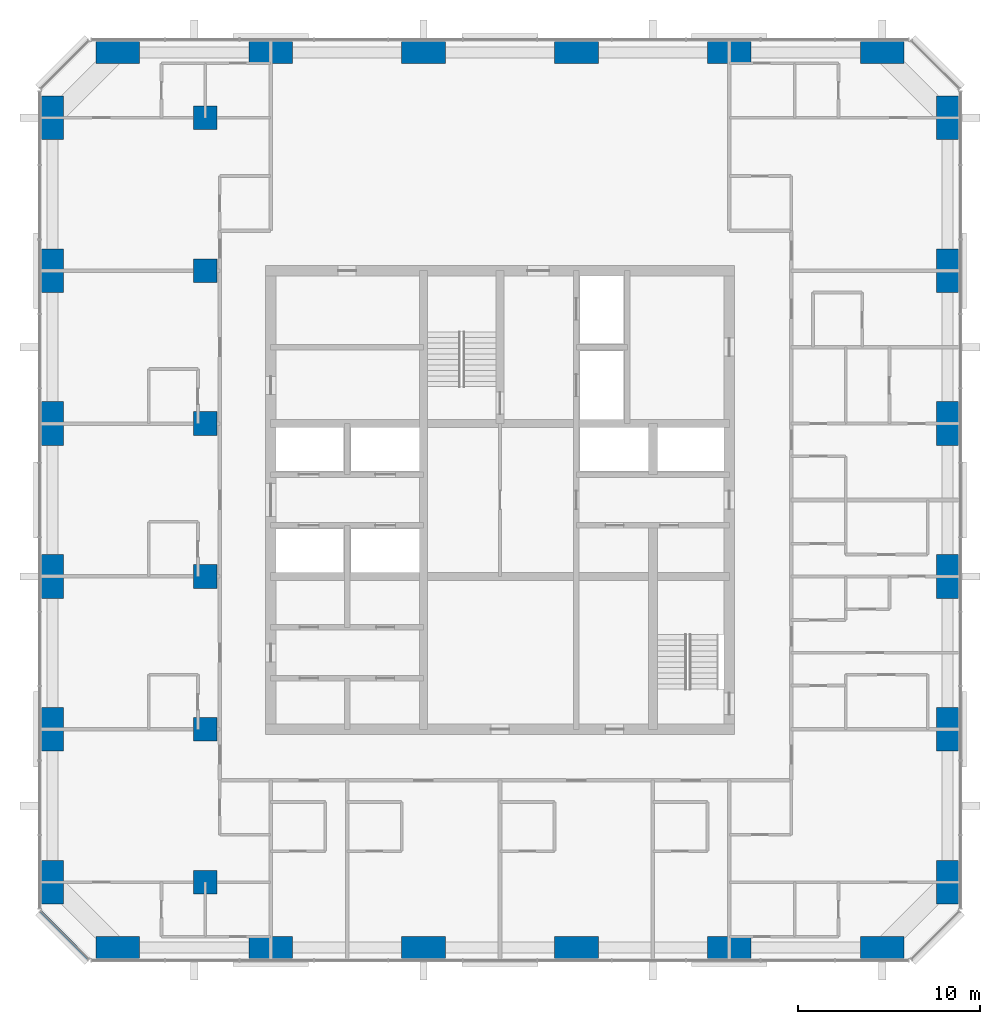
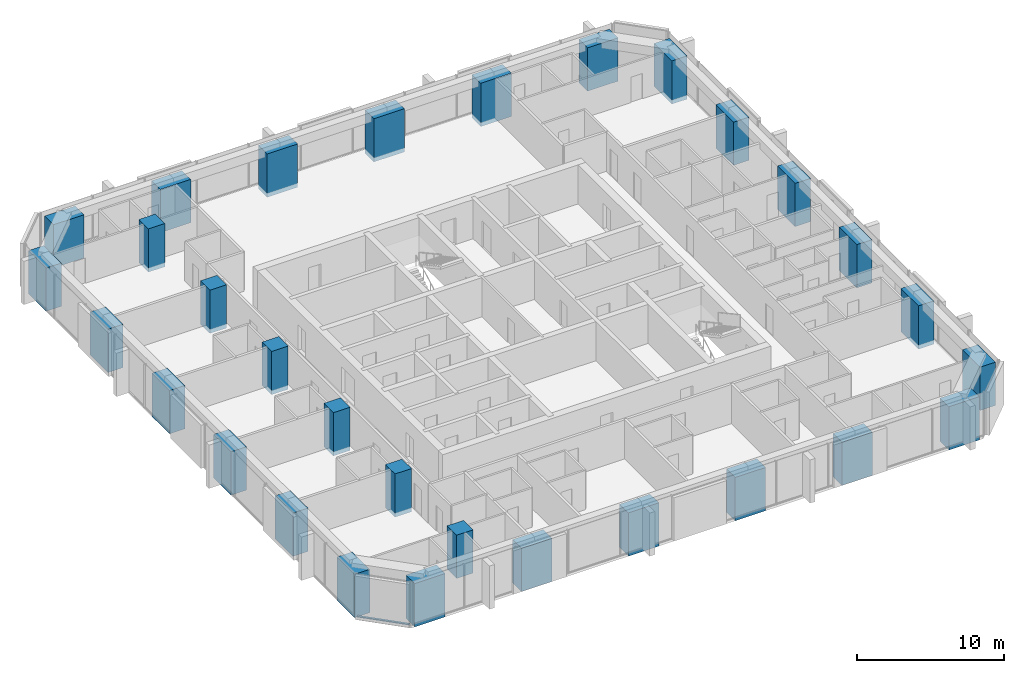
# One storey, part 1 of 13: 30 columns, 1 member, 1 element without a shape of its own.
"""IFC4 building model written with IfcOpenShell, lengths in metres."""

from ifc_helpers import new_model, si_unit, direction, frame, origin, origin_2d, place, context, subcontext, project, spatial, rectangle, extrude, material, material_profile, profile_set, type_object, element, aggregate, save


model = new_model("IFC4")

# Units and contexts
model_context = context("Model", 3, precision=1e-05, world=origin(), true_north=direction((0.0, 1.0)))
body_context = subcontext(model_context, "Body", "Model", "MODEL_VIEW")
ifc_project = project(units=[si_unit("LENGTHUNIT", "METRE"), si_unit("AREAUNIT", "SQUARE_METRE"), si_unit("VOLUMEUNIT", "CUBIC_METRE"), si_unit("PLANEANGLEUNIT", "RADIAN"), si_unit("MASSUNIT", "GRAM", prefix="KILO")], contexts=[model_context])

# Site, building, storey
site_placement = place(None, origin())
site = spatial("IfcSite", under=ifc_project, at=site_placement, CompositionType="ELEMENT")
building_placement = place(site_placement, origin())
building = spatial("IfcBuilding", under=site, at=building_placement, Name="Dunama Terrace Hotel", CompositionType="ELEMENT")
storey_placement = place(building_placement, frame((0.0, 0.0, 187.800048828125)))
storey = spatial("IfcBuildingStorey", under=building, at=storey_placement, Name="L48", CompositionType="ELEMENT", Elevation=187.800048828125)

# Columns
ifc_material_1 = material(Name="Concrete C60/75", Category="concrete")
ifc_material_profile_1 = material_profile(ifc_material_1, rectangle(XDim=1.199951171875, YDim=2.39990234375, at=origin_2d()), Name="RC 1200x2400")
ifc_profile_set_1 = profile_set([ifc_material_profile_1], Name="Concrete C60/75")
column_type_1 = type_object("IfcColumnType", Name="Column RC 1200x2400", PredefinedType="COLUMN", material=ifc_profile_set_1)
for number, where, z_axis, x_axis, name in (
    (1, (4.800048828125, 8.39990234375, -0.35009765625), (0.0, 0.0, 1.0), (1.0, 0.0, 0.0), "Column L48 +4.8/+8.4"),
    (2, (4.800048828125, 16.800048828125, -0.35009765625), (0.0, 0.0, 1.0), (1.0, 0.0, 0.0), "Column L48 +4.8/+16.8"),
    (3, (4.800048828125, 25.199951171875, -0.35009765625), (0.0, 0.0, 1.0), (1.0, 0.0, 0.0), "Column L48 +4.8/+25.2"),
    (4, (4.800048828125, 33.60009765625, -0.35009765625), (0.0, 0.0, 1.0), (1.0, 0.0, 0.0), "Column L48 +4.8/+33.6"),
    (5, (4.800048828125, 42.0, -0.35009765625), (0.0, 0.0, 1.0), (1.0, 0.0, 0.0), "Column L48 +4.8/+42.0"),
    (6, (4.800048828125, 50.39990234375, -0.35009765625), (0.0, 0.0, 1.0), (1.0, 0.0, 0.0), "Column L48 +4.8/+50.4"),
    (7, (54.0, 8.39990234375, -0.35009765625), (0.0, 0.0, 1.0), (1.0, 0.0, 0.0), "Column L48 +54.0/+8.4"),
    (8, (54.0, 16.800048828125, -0.35009765625), (0.0, 0.0, 1.0), (1.0, 0.0, 0.0), "Column L48 +54.0/+16.8"),
    (9, (54.0, 25.199951171875, -0.35009765625), (0.0, 0.0, 1.0), (1.0, 0.0, 0.0), "Column L48 +54.0/+25.2"),
    (10, (54.0, 33.60009765625, -0.35009765625), (0.0, 0.0, 1.0), (1.0, 0.0, 0.0), "Column L48 +54.0/+33.6"),
    (11, (54.0, 42.0, -0.35009765625), (0.0, 0.0, 1.0), (1.0, 0.0, 0.0), "Column L48 +54.0/+42.0"),
    (12, (54.0, 50.39990234375, -0.35009765625), (0.0, 0.0, 1.0), (1.0, 0.0, 0.0), "Column L48 +54.0/+50.4"),
):
    element("IfcColumn", number, at=place(storey_placement, frame(where, z_axis=z_axis, x_axis=x_axis)), inside=storey, type_object=column_type_1, Name=name, PredefinedType="COLUMN", context=body_context, shape_type="SweptSolid", body=[
        extrude(rectangle(XDim=1.199951171875, YDim=2.39990234375, at=origin_2d()), origin(), (0.0, 0.0, 1.0), 3.60009765625),
    ])
ifc_material_2 = material(Name="Concrete C60/75", Category="concrete")
ifc_material_profile_2 = material_profile(ifc_material_2, rectangle(XDim=1.300048828125, YDim=1.300048828125, at=origin_2d()), Name="RC 1300x1300")
ifc_profile_set_2 = profile_set([ifc_material_profile_2], Name="Concrete C60/75")
column_type_2 = type_object("IfcColumnType", Name="Column RC 1300x1300", PredefinedType="COLUMN", material=ifc_profile_set_2)
for number, where, z_axis, x_axis, name in (
    (13, (13.199951171875, 8.39990234375, -0.35009765625), (0.0, 0.0, 1.0), (1.0, 0.0, 0.0), "Column L48 +13.2/+8.4"),
    (14, (13.199951171875, 16.800048828125, -0.35009765625), (0.0, 0.0, 1.0), (1.0, 0.0, 0.0), "Column L48 +13.2/+16.8"),
    (15, (13.199951171875, 25.199951171875, -0.35009765625), (0.0, 0.0, 1.0), (1.0, 0.0, 0.0), "Column L48 +13.2/+25.2"),
    (16, (13.199951171875, 33.60009765625, -0.35009765625), (0.0, 0.0, 1.0), (1.0, 0.0, 0.0), "Column L48 +13.2/+33.6"),
    (17, (13.199951171875, 42.0, -0.35009765625), (0.0, 0.0, 1.0), (1.0, 0.0, 0.0), "Column L48 +13.2/+42.0"),
    (18, (13.199951171875, 50.39990234375, -0.35009765625), (0.0, 0.0, 1.0), (1.0, 0.0, 0.0), "Column L48 +13.2/+50.4"),
):
    element("IfcColumn", number, at=place(storey_placement, frame(where, z_axis=z_axis, x_axis=x_axis)), inside=storey, type_object=column_type_2, Name=name, PredefinedType="COLUMN", context=body_context, shape_type="SweptSolid", body=[
        extrude(rectangle(XDim=1.300048828125, YDim=1.300048828125, at=origin_2d()), origin(), (0.0, 0.0, 1.0), 3.60009765625),
    ])
ifc_material_3 = material(Name="Concrete C60/75", Category="concrete")
ifc_material_profile_3 = material_profile(ifc_material_3, rectangle(XDim=2.39990234375, YDim=1.199951171875, at=origin_2d()), Name="RC 2400x1200")
ifc_profile_set_3 = profile_set([ifc_material_profile_3], Name="Concrete C60/75")
column_type_3 = type_object("IfcColumnType", Name="Column RC 2400x1200", PredefinedType="COLUMN", material=ifc_profile_set_3)
for number, where, z_axis, x_axis, name in (
    (19, (8.39990234375, 4.800048828125, -0.35009765625), (0.0, 0.0, 1.0), (1.0, 0.0, 0.0), "Column L48 +8.4/+4.8"),
    (20, (8.39990234375, 54.0, -0.35009765625), (0.0, 0.0, 1.0), (1.0, 0.0, 0.0), "Column L48 +8.4/+54.0"),
    (21, (16.800048828125, 4.800048828125, -0.35009765625), (0.0, 0.0, 1.0), (1.0, 0.0, 0.0), "Column L48 +16.8/+4.8"),
    (22, (16.800048828125, 54.0, -0.35009765625), (0.0, 0.0, 1.0), (1.0, 0.0, 0.0), "Column L48 +16.8/+54.0"),
    (23, (25.199951171875, 4.800048828125, -0.35009765625), (0.0, 0.0, 1.0), (1.0, 0.0, 0.0), "Column L48 +25.2/+4.8"),
    (24, (25.199951171875, 54.0, -0.35009765625), (0.0, 0.0, 1.0), (1.0, 0.0, 0.0), "Column L48 +25.2/+54.0"),
    (25, (33.60009765625, 4.800048828125, -0.35009765625), (0.0, 0.0, 1.0), (1.0, 0.0, 0.0), "Column L48 +33.6/+4.8"),
    (26, (33.60009765625, 54.0, -0.35009765625), (0.0, 0.0, 1.0), (1.0, 0.0, 0.0), "Column L48 +33.6/+54.0"),
    (27, (42.0, 4.800048828125, -0.35009765625), (0.0, 0.0, 1.0), (1.0, 0.0, 0.0), "Column L48 +42.0/+4.8"),
    (28, (42.0, 54.0, -0.35009765625), (0.0, 0.0, 1.0), (1.0, 0.0, 0.0), "Column L48 +42.0/+54.0"),
    (29, (50.39990234375, 4.800048828125, -0.35009765625), (0.0, 0.0, 1.0), (1.0, 0.0, 0.0), "Column L48 +50.4/+4.8"),
    (30, (50.39990234375, 54.0, -0.35009765625), (0.0, 0.0, 1.0), (1.0, 0.0, 0.0), "Column L48 +50.4/+54.0"),
):
    element("IfcColumn", number, at=place(storey_placement, frame(where, z_axis=z_axis, x_axis=x_axis)), inside=storey, type_object=column_type_3, Name=name, PredefinedType="COLUMN", context=body_context, shape_type="SweptSolid", body=[
        extrude(rectangle(XDim=2.39990234375, YDim=1.199951171875, at=origin_2d()), origin(), (0.0, 0.0, 1.0), 3.60009765625),
    ])

# Curtain wall, member
ifc_material_4 = material(Name="Aluminium curtain wall system", Category="aluminium")
curtain_wall_type = type_object("IfcCurtainWallType", Name="Unitised fritted glass wall CW-C", PredefinedType="NOTDEFINED", material=ifc_material_4)
curtain_wall_placement = place(storey_placement, origin())
curtain_wall = element("IfcCurtainWall", 31, at=curtain_wall_placement, inside=storey, type_object=curtain_wall_type, Name="Unitised fritted glass wall CW-C L48", PredefinedType="NOTDEFINED")
ifc_material_5 = material(Name="Aluminium transom", Category="aluminium")
ifc_material_profile_4 = material_profile(ifc_material_5, rectangle(XDim=0.159912109375, YDim=0.080078125, at=origin_2d()), Name="CWC TRANSOM 160X80")
ifc_profile_set_4 = profile_set([ifc_material_profile_4], Name="Aluminium transom")
member_type = type_object("IfcMemberType", Name="CWC transom 160x80", PredefinedType="USERDEFINED", material=ifc_profile_set_4)
member_placement = place(storey_placement, frame((4.178955078125, 6.780029296875, 0.0400390625), z_axis=(0.707106781187, -0.707106781187, 0.0), x_axis=(0.707106781187, 0.707106781187, 0.0)))
member = element("IfcMember", 32, at=member_placement, type_object=member_type, Name="CWC transom", ObjectType="TRANSOM", PredefinedType="USERDEFINED", context=body_context, shape_type="SweptSolid", body=[
    extrude(rectangle(XDim=0.159912109375, YDim=0.080078125, at=origin_2d()), origin(), (0.0, 0.0, 1.0), 3.678466796875),
])
aggregate(curtain_wall, [member])

save(model, "model.ifc")
